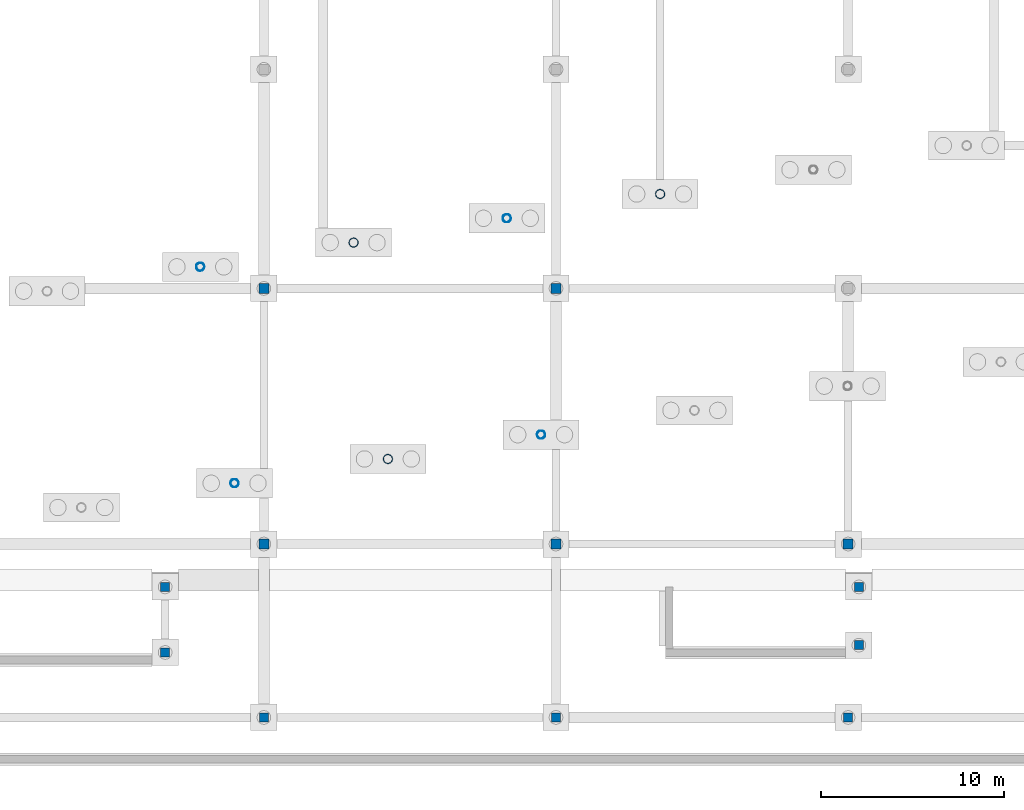
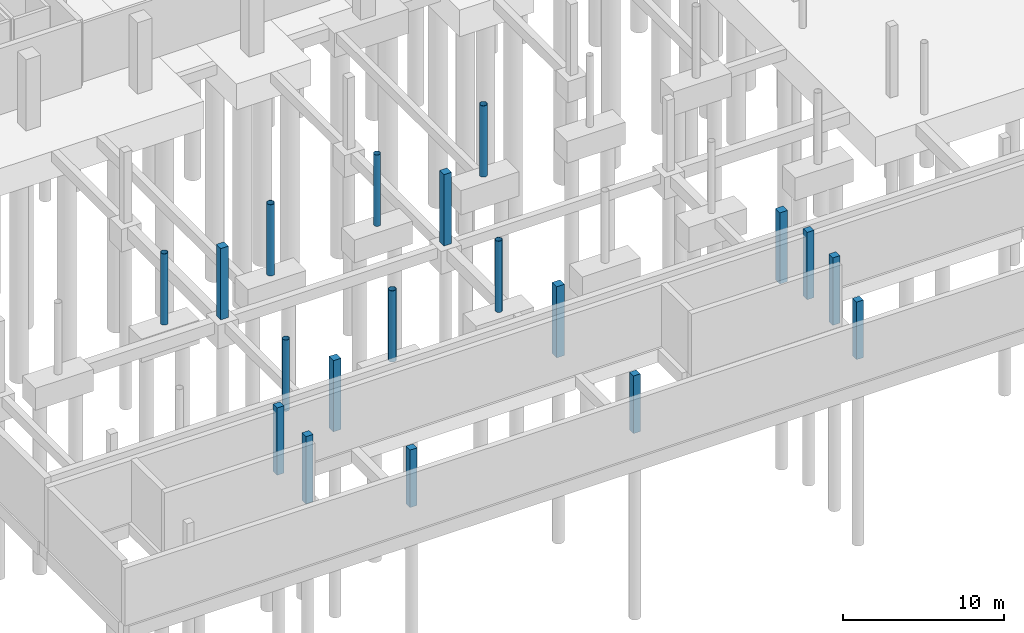
# One storey, part 21 of 65: 19 columns.
"""IFC4 building model written with IfcOpenShell, lengths in metres."""

from ifc_helpers import new_model, si_unit, direction, frame, origin, origin_2d, place, context, subcontext, project, spatial, rectangle, hollow_circle, extrude, material, material_profile, profile_set, type_object, element, save


model = new_model("IFC4")

# Units and contexts
model_context = context("Model", 3, precision=1e-05, world=origin(), true_north=direction((0.0, 1.0)))
body_context = subcontext(model_context, "Body", "Model", "MODEL_VIEW")
ifc_project = project(units=[si_unit("LENGTHUNIT", "METRE"), si_unit("AREAUNIT", "SQUARE_METRE"), si_unit("VOLUMEUNIT", "CUBIC_METRE"), si_unit("PLANEANGLEUNIT", "RADIAN"), si_unit("MASSUNIT", "GRAM", prefix="KILO")], contexts=[model_context])

# Site, building, storey
site_placement = place(None, origin())
site = spatial("IfcSite", under=ifc_project, at=site_placement, CompositionType="ELEMENT")
building_placement = place(site_placement, origin())
building = spatial("IfcBuilding", under=site, at=building_placement, Name="Khorjan Park Terminus", CompositionType="ELEMENT")
storey_placement = place(building_placement, frame((0.0, 0.0, -5.4)))
storey = spatial("IfcBuildingStorey", under=building, at=storey_placement, Name="B1", CompositionType="ELEMENT", Elevation=-5.4)

# Columns
ifc_material_1 = material(Name="Concrete C40/50", Category="concrete")
ifc_material_profile_1 = material_profile(ifc_material_1, rectangle(XDim=0.5, YDim=0.5, at=origin_2d()), Name="RC 500x500")
ifc_profile_set_1 = profile_set([ifc_material_profile_1], Name="Concrete C40/50")
column_type_1 = type_object("IfcColumnType", Name="COL-RC500", PredefinedType="COLUMN", material=ifc_profile_set_1)
for number, where, z_axis, x_axis, name in (
    (1, (58.59, -17.94, 0.0), (0.0, 0.0, 1.0), (1.0, 0.0, 0.0), "Structural column C-RC05 (B1 #530)"),
    (2, (58.59, -14.35, 0.0), (0.0, 0.0, 1.0), (1.0, 0.0, 0.0), "Structural column C-RC05 (B1 #531)"),
    (3, (96.59, -17.54, 0.0), (0.0, 0.0, 1.0), (1.0, 0.0, 0.0), "Structural column C-RC05 (B1 #532)"),
    (4, (96.59, -14.35, 0.0), (0.0, 0.0, 1.0), (1.0, 0.0, 0.0), "Structural column C-RC05 (B1 #533)"),
):
    element("IfcColumn", number, at=place(storey_placement, frame(where, z_axis=z_axis, x_axis=x_axis)), inside=storey, type_object=column_type_1, Name=name, PredefinedType="COLUMN", context=body_context, shape_type="SweptSolid", body=[
        extrude(rectangle(XDim=0.5, YDim=0.5, at=origin_2d()), origin(), (0.0, 0.0, 1.0), 5.11),
    ])
for number, where, z_axis, x_axis, name in (
    (5, (64.0, -21.5, 0.0), (0.0, 0.0, 1.0), (1.0, 0.0, 0.0), "Structural column C-RC05 (B1 #957)"),
    (6, (80.0, -21.5, 0.0), (0.0, 0.0, 1.0), (1.0, 0.0, 0.0), "Structural column C-RC05 (B1 #961)"),
    (7, (96.0, -21.5, 0.0), (0.0, 0.0, 1.0), (1.0, 0.0, 0.0), "Structural column C-RC05 (B1 #965)"),
):
    element("IfcColumn", number, at=place(storey_placement, frame(where, z_axis=z_axis, x_axis=x_axis)), inside=storey, type_object=column_type_1, Name=name, PredefinedType="COLUMN", context=body_context, shape_type="SweptSolid", body=[
        extrude(rectangle(XDim=0.5, YDim=0.5, at=origin_2d()), origin(), (0.0, 0.0, 1.0), 4.36),
    ])
ifc_material_profile_2 = material_profile(ifc_material_1, rectangle(XDim=0.55, YDim=0.55, at=origin_2d()), Name="RC 550x550")
ifc_profile_set_2 = profile_set([ifc_material_profile_2], Name="Concrete C40/50")
column_type_2 = type_object("IfcColumnType", Name="COL-RC550", PredefinedType="COLUMN", material=ifc_profile_set_2)
for number, where, z_axis, x_axis, name in (
    (8, (64.0, 2.0, 0.0), (0.0, 0.0, 1.0), (1.0, 0.0, 0.0), "Structural column C-RC55 (B1 #955)"),
    (9, (64.0, -12.0, 0.0), (0.0, 0.0, 1.0), (1.0, 0.0, 0.0), "Structural column C-RC55 (B1 #956)"),
    (10, (80.0, 2.0, 0.0), (0.0, 0.0, 1.0), (1.0, 0.0, 0.0), "Structural column C-RC55 (B1 #959)"),
    (11, (80.0, -12.0, 0.0), (0.0, 0.0, 1.0), (1.0, 0.0, 0.0), "Structural column C-RC55 (B1 #960)"),
    (12, (96.0, -12.0, 0.0), (0.0, 0.0, 1.0), (1.0, 0.0, 0.0), "Structural column C-RC55 (B1 #964)"),
):
    element("IfcColumn", number, at=place(storey_placement, frame(where, z_axis=z_axis, x_axis=x_axis)), inside=storey, type_object=column_type_2, Name=name, PredefinedType="COLUMN", context=body_context, shape_type="SweptSolid", body=[
        extrude(rectangle(XDim=0.55, YDim=0.55, at=origin_2d()), origin(), (0.0, 0.0, 1.0), 5.4),
    ])
ifc_material_2 = material(Name="Steel S355", Category="steel")
ifc_material_profile_3 = material_profile(ifc_material_2, hollow_circle(Radius=0.2285, WallThickness=0.016, at=origin_2d()), Name="CHS 457x16")
ifc_profile_set_3 = profile_set([ifc_material_profile_3], Name="Steel S355")
column_type_3 = type_object("IfcColumnType", Name="COL-SH457E", PredefinedType="COLUMN", material=ifc_profile_set_3)
for number, where, z_axis, x_axis, name in (
    (13, (62.395, -8.67, 0.0), (0.0, 0.0, 1.0), (0.987688340595, 0.15643446504, 0.0), "Structural column SC-46 (B1 #548)"),
    (14, (60.518, 3.182, 0.0), (0.0, 0.0, 1.0), (0.987688340595, 0.15643446504, 0.0), "Structural column SC-46 (B1 #551)"),
    (15, (79.186, -6.011, 0.0), (0.0, 0.0, 1.0), (0.987688340595, 0.15643446504, 0.0), "Structural column SC-46 (B1 #560)"),
    (16, (77.309, 5.841, 0.0), (0.0, 0.0, 1.0), (0.987688340595, 0.15643446504, 0.0), "Structural column SC-46 (B1 #563)"),
):
    element("IfcColumn", number, at=place(storey_placement, frame(where, z_axis=z_axis, x_axis=x_axis)), inside=storey, type_object=column_type_3, Name=name, PredefinedType="COLUMN", context=body_context, shape_type="SweptSolid", body=[
        extrude(hollow_circle(Radius=0.2285, WallThickness=0.016, at=origin_2d()), origin(), (0.0, 0.0, 1.0), 5.4),
    ])
ifc_material_profile_4 = material_profile(ifc_material_2, hollow_circle(Radius=0.254, WallThickness=0.02, at=origin_2d()), Name="CHS 508x20")
ifc_profile_set_4 = profile_set([ifc_material_profile_4], Name="Steel S355")
column_type_4 = type_object("IfcColumnType", Name="COL-SH508E", PredefinedType="COLUMN", material=ifc_profile_set_4)
for number, where, z_axis, x_axis, name in (
    (17, (70.791, -7.341, 0.0), (0.0, 0.0, 1.0), (0.987688340595, 0.15643446504, 0.0), "Structural column SC-51 (B1 #554)"),
    (18, (68.913, 4.512, 0.0), (0.0, 0.0, 1.0), (0.987688340595, 0.15643446504, 0.0), "Structural column SC-51 (B1 #557)"),
    (19, (85.704, 7.171, 0.0), (0.0, 0.0, 1.0), (0.987688340595, 0.15643446504, 0.0), "Structural column SC-51 (B1 #569)"),
):
    element("IfcColumn", number, at=place(storey_placement, frame(where, z_axis=z_axis, x_axis=x_axis)), inside=storey, type_object=column_type_4, Name=name, PredefinedType="COLUMN", context=body_context, shape_type="SweptSolid", body=[
        extrude(hollow_circle(Radius=0.254, WallThickness=0.02, at=origin_2d()), origin(), (0.0, 0.0, 1.0), 5.4),
    ])

save(model, "model.ifc")
